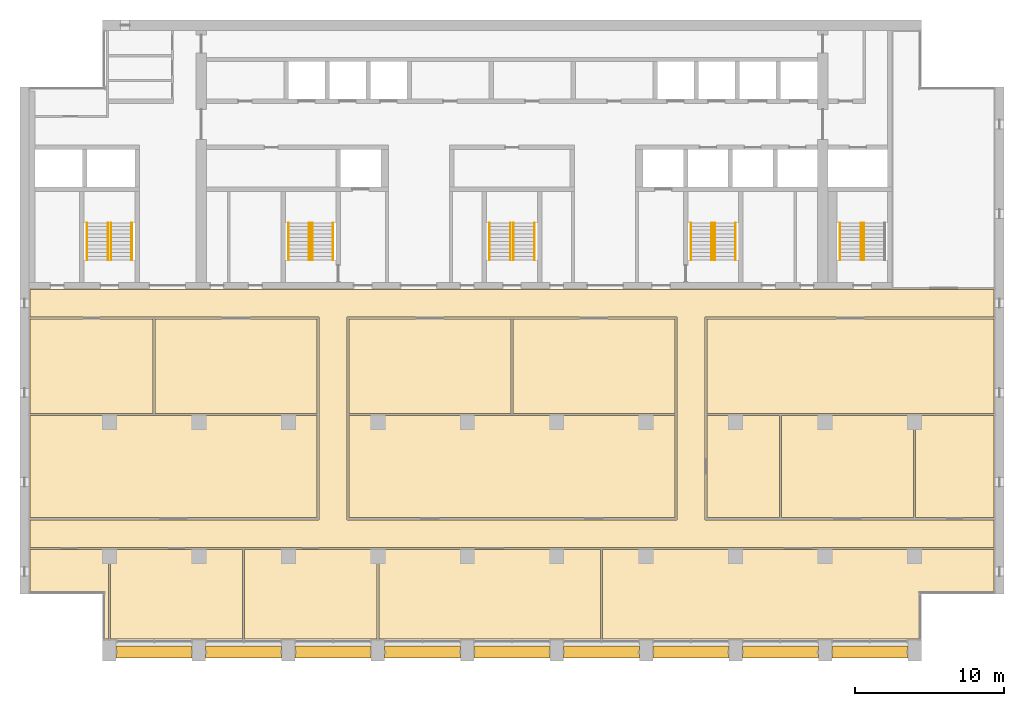
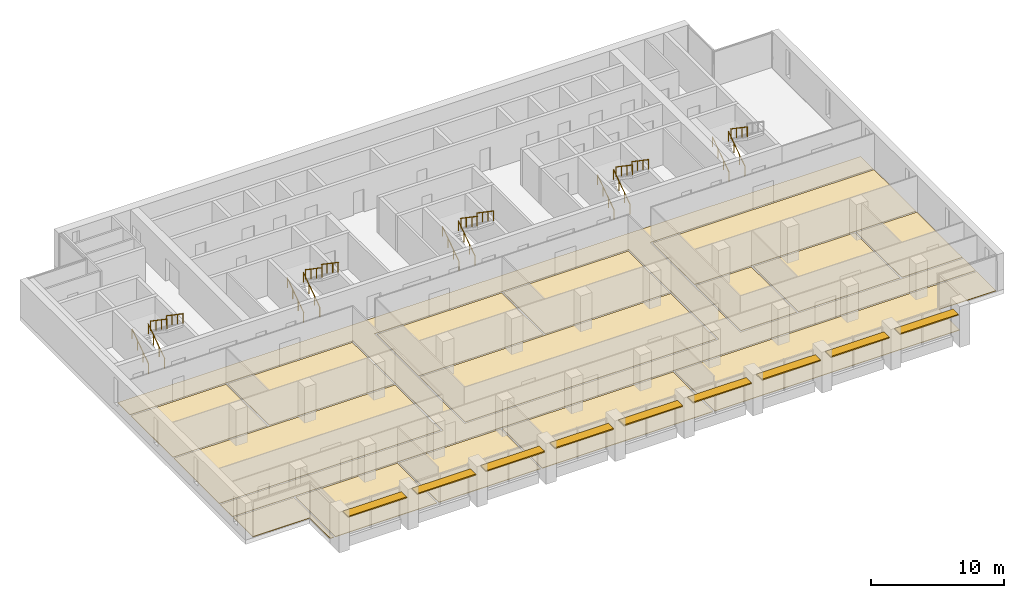
# One storey, part 16 of 17: 19 railings, 16 coverings, 9 shading devices, 5 elements without a shape of their own.
"""IFC4 building model written with IfcOpenShell, lengths in metres."""

from ifc_helpers import new_model, si_unit, direction, frame, origin, origin_2d, place, context, subcontext, project, spatial, polyline, rectangle, circle, outline, extrude, material, layer, layer_set, material_profile, profile_set, type_object, element, aggregate, save


model = new_model("IFC4")

# Units and contexts
model_context = context("Model", 3, precision=1e-05, world=origin(), true_north=direction((0.0, 1.0)))
body_context = subcontext(model_context, "Body", "Model", "MODEL_VIEW")
ifc_project = project(units=[si_unit("LENGTHUNIT", "METRE"), si_unit("AREAUNIT", "SQUARE_METRE"), si_unit("VOLUMEUNIT", "CUBIC_METRE"), si_unit("PLANEANGLEUNIT", "RADIAN"), si_unit("MASSUNIT", "GRAM", prefix="KILO")], contexts=[model_context])

# Site, building, storey
site_placement = place(None, origin())
site = spatial("IfcSite", under=ifc_project, at=site_placement, CompositionType="ELEMENT")
building_placement = place(site_placement, origin())
building = spatial("IfcBuilding", under=site, at=building_placement, Name="Calvaro Tower", CompositionType="ELEMENT")
storey_placement = place(building_placement, frame((0.0, 0.0, 215.5)))
storey = spatial("IfcBuildingStorey", under=building, at=storey_placement, Name="L54", CompositionType="ELEMENT", Elevation=215.5)

# Shading devices
ifc_material_1 = material(Name="Anodised aluminium", Category="aluminium")
ifc_material_profile = material_profile(ifc_material_1, rectangle(XDim=0.800048828125, YDim=0.10009765625, at=origin_2d()), Name="Brise-soleil blade 800 x 100")
ifc_profile_set = profile_set([ifc_material_profile], Name="Anodised aluminium")
shading_device_type = type_object("IfcShadingDeviceType", Name="Brise-soleil blade 800 x 100", PredefinedType="JALOUSIE", material=ifc_profile_set)
for number, where, z_axis, x_axis, name in (
    (1, (12.449951171875, 3.60009765625, 2.5), (1.0, 0.0, 0.0), (0.0, 1.0, 0.0), "Brise-soleil blade 1"),
    (2, (18.449951171875, 3.60009765625, 2.5), (1.0, 0.0, 0.0), (0.0, 1.0, 0.0), "Brise-soleil blade 2"),
    (3, (24.449951171875, 3.60009765625, 2.5), (1.0, 0.0, 0.0), (0.0, 1.0, 0.0), "Brise-soleil blade 3"),
    (4, (30.449951171875, 3.60009765625, 2.5), (1.0, 0.0, 0.0), (0.0, 1.0, 0.0), "Brise-soleil blade 4"),
    (5, (36.449951171875, 3.60009765625, 2.5), (1.0, 0.0, 0.0), (0.0, 1.0, 0.0), "Brise-soleil blade 5"),
    (6, (42.449951171875, 3.60009765625, 2.5), (1.0, 0.0, 0.0), (0.0, 1.0, 0.0), "Brise-soleil blade 6"),
    (7, (48.449951171875, 3.60009765625, 2.5), (1.0, 0.0, 0.0), (0.0, 1.0, 0.0), "Brise-soleil blade 7"),
    (8, (54.449951171875, 3.60009765625, 2.5), (1.0, 0.0, 0.0), (0.0, 1.0, 0.0), "Brise-soleil blade 8"),
    (9, (60.449951171875, 3.60009765625, 2.5), (1.0, 0.0, 0.0), (0.0, 1.0, 0.0), "Brise-soleil blade 9"),
):
    element("IfcShadingDevice", number, at=place(storey_placement, frame(where, z_axis=z_axis, x_axis=x_axis)), inside=storey, type_object=shading_device_type, Name=name, PredefinedType="JALOUSIE", context=body_context, shape_type="SweptSolid", body=[
        extrude(rectangle(XDim=0.800048828125, YDim=0.10009765625, at=origin_2d()), origin(), (0.0, 0.0, 1.0), 5.10009765625),
    ])

# Coverings
ifc_material_2 = material(Name="Cement screed with carpet tile finish")
ifc_layer = layer(ifc_material_2, 0.050048828125)
ifc_layer_set = layer_set([ifc_layer], Name="Cement screed with carpet tile finish")
covering_type = type_object("IfcCoveringType", Name="Floor finish 50", PredefinedType="FLOORING", material=ifc_layer_set)
covering_1_placement = place(storey_placement, origin())
element("IfcCovering", 10, at=covering_1_placement, inside=storey, type_object=covering_type, Name="Floor finish 31.01", PredefinedType="FLOORING", context=body_context, shape_type="SweptSolid", body=[
    extrude(outline(polyline([(6.669921875, 10.6201171875), (6.669921875, 12.47998046875), (26.070068359375, 12.47998046875), (26.070068359375, 26.070068359375), (6.669921875, 26.070068359375), (6.669921875, 27.929931640625), (71.330078125, 27.929931640625), (71.330078125, 26.070068359375), (51.929931640625, 26.070068359375), (51.929931640625, 12.47998046875), (71.330078125, 12.47998046875), (71.330078125, 10.6201171875), (6.669921875, 10.6201171875)]), holes=[polyline([(50.070068359375, 12.47998046875), (50.070068359375, 26.070068359375), (27.929931640625, 26.070068359375), (27.929931640625, 12.47998046875), (50.070068359375, 12.47998046875)])]), origin(), (0.0, 0.0, 1.0), 0.050048828125),
])
covering_2_placement = place(storey_placement, origin())
element("IfcCovering", 11, at=covering_2_placement, inside=storey, type_object=covering_type, Name="Floor finish 31.06", PredefinedType="FLOORING", context=body_context, shape_type="SweptSolid", body=[
    extrude(outline(polyline([(11.929931640625, 10.47998046875), (11.929931640625, 4.469970703125), (11.6201171875, 4.469970703125), (11.6201171875, 7.570068359375), (6.669921875, 7.570068359375), (6.669921875, 10.47998046875), (11.929931640625, 10.47998046875)])), origin(), (0.0, 0.0, 1.0), 0.050048828125),
])
covering_3_placement = place(storey_placement, origin())
element("IfcCovering", 12, at=covering_3_placement, inside=storey, type_object=covering_type, Name="Floor finish 31.02", PredefinedType="FLOORING", context=body_context, shape_type="SweptSolid", body=[
    extrude(outline(polyline([(12.070068359375, 10.47998046875), (20.929931640625, 10.47998046875), (20.929931640625, 4.469970703125), (12.070068359375, 4.469970703125), (12.070068359375, 10.47998046875)])), origin(), (0.0, 0.0, 1.0), 0.050048828125),
])
covering_4_placement = place(storey_placement, origin())
element("IfcCovering", 13, at=covering_4_placement, inside=storey, type_object=covering_type, Name="Floor finish 31.03", PredefinedType="FLOORING", context=body_context, shape_type="SweptSolid", body=[
    extrude(outline(polyline([(21.070068359375, 10.47998046875), (29.929931640625, 10.47998046875), (29.929931640625, 4.469970703125), (21.070068359375, 4.469970703125), (21.070068359375, 10.47998046875)])), origin(), (0.0, 0.0, 1.0), 0.050048828125),
])
covering_5_placement = place(storey_placement, origin())
element("IfcCovering", 14, at=covering_5_placement, inside=storey, type_object=covering_type, Name="Floor finish 31.04", PredefinedType="FLOORING", context=body_context, shape_type="SweptSolid", body=[
    extrude(outline(polyline([(30.070068359375, 10.47998046875), (44.929931640625, 10.47998046875), (44.929931640625, 4.469970703125), (30.070068359375, 4.469970703125), (30.070068359375, 10.47998046875)])), origin(), (0.0, 0.0, 1.0), 0.050048828125),
])
covering_6_placement = place(storey_placement, origin())
element("IfcCovering", 15, at=covering_6_placement, inside=storey, type_object=covering_type, Name="Floor finish 31.05", PredefinedType="FLOORING", context=body_context, shape_type="SweptSolid", body=[
    extrude(outline(polyline([(71.330078125, 7.570068359375), (66.3798828125, 7.570068359375), (66.3798828125, 4.469970703125), (45.070068359375, 4.469970703125), (45.070068359375, 10.47998046875), (71.330078125, 10.47998046875), (71.330078125, 7.570068359375)])), origin(), (0.0, 0.0, 1.0), 0.050048828125),
])
covering_7_placement = place(storey_placement, origin())
element("IfcCovering", 16, at=covering_7_placement, inside=storey, type_object=covering_type, Name="Floor finish 31.07", PredefinedType="FLOORING", context=body_context, shape_type="SweptSolid", body=[
    extrude(outline(polyline([(25.929931640625, 19.47998046875), (25.929931640625, 12.6201171875), (6.669921875, 12.6201171875), (6.669921875, 19.47998046875), (25.929931640625, 19.47998046875)])), origin(), (0.0, 0.0, 1.0), 0.050048828125),
])
covering_8_placement = place(storey_placement, origin())
element("IfcCovering", 17, at=covering_8_placement, inside=storey, type_object=covering_type, Name="Floor finish 31.12", PredefinedType="FLOORING", context=body_context, shape_type="SweptSolid", body=[
    extrude(outline(polyline([(14.929931640625, 25.929931640625), (14.929931640625, 19.6201171875), (6.669921875, 19.6201171875), (6.669921875, 25.929931640625), (14.929931640625, 25.929931640625)])), origin(), (0.0, 0.0, 1.0), 0.050048828125),
])
covering_9_placement = place(storey_placement, origin())
element("IfcCovering", 18, at=covering_9_placement, inside=storey, type_object=covering_type, Name="Floor finish 31.13", PredefinedType="FLOORING", context=body_context, shape_type="SweptSolid", body=[
    extrude(outline(polyline([(15.070068359375, 19.6201171875), (15.070068359375, 25.929931640625), (25.929931640625, 25.929931640625), (25.929931640625, 19.6201171875), (15.070068359375, 19.6201171875)])), origin(), (0.0, 0.0, 1.0), 0.050048828125),
])
covering_10_placement = place(storey_placement, origin())
element("IfcCovering", 19, at=covering_10_placement, inside=storey, type_object=covering_type, Name="Floor finish 31.08", PredefinedType="FLOORING", context=body_context, shape_type="SweptSolid", body=[
    extrude(outline(polyline([(28.070068359375, 12.6201171875), (28.070068359375, 19.47998046875), (49.929931640625, 19.47998046875), (49.929931640625, 12.6201171875), (28.070068359375, 12.6201171875)])), origin(), (0.0, 0.0, 1.0), 0.050048828125),
])
covering_11_placement = place(storey_placement, origin())
element("IfcCovering", 20, at=covering_11_placement, inside=storey, type_object=covering_type, Name="Floor finish 31.14", PredefinedType="FLOORING", context=body_context, shape_type="SweptSolid", body=[
    extrude(outline(polyline([(28.070068359375, 19.6201171875), (28.070068359375, 25.929931640625), (38.929931640625, 25.929931640625), (38.929931640625, 19.6201171875), (28.070068359375, 19.6201171875)])), origin(), (0.0, 0.0, 1.0), 0.050048828125),
])
covering_12_placement = place(storey_placement, origin())
element("IfcCovering", 21, at=covering_12_placement, inside=storey, type_object=covering_type, Name="Floor finish 31.15", PredefinedType="FLOORING", context=body_context, shape_type="SweptSolid", body=[
    extrude(outline(polyline([(39.070068359375, 19.6201171875), (39.070068359375, 25.929931640625), (49.929931640625, 25.929931640625), (49.929931640625, 19.6201171875), (39.070068359375, 19.6201171875)])), origin(), (0.0, 0.0, 1.0), 0.050048828125),
])
covering_13_placement = place(storey_placement, origin())
element("IfcCovering", 22, at=covering_13_placement, inside=storey, type_object=covering_type, Name="Floor finish 31.09", PredefinedType="FLOORING", context=body_context, shape_type="SweptSolid", body=[
    extrude(outline(polyline([(52.070068359375, 12.6201171875), (52.070068359375, 19.47998046875), (56.929931640625, 19.47998046875), (56.929931640625, 12.6201171875), (52.070068359375, 12.6201171875)])), origin(), (0.0, 0.0, 1.0), 0.050048828125),
])
covering_14_placement = place(storey_placement, origin())
element("IfcCovering", 23, at=covering_14_placement, inside=storey, type_object=covering_type, Name="Floor finish 31.10", PredefinedType="FLOORING", context=body_context, shape_type="SweptSolid", body=[
    extrude(outline(polyline([(57.070068359375, 12.6201171875), (57.070068359375, 19.47998046875), (65.929931640625, 19.47998046875), (65.929931640625, 12.6201171875), (57.070068359375, 12.6201171875)])), origin(), (0.0, 0.0, 1.0), 0.050048828125),
])
covering_15_placement = place(storey_placement, origin())
element("IfcCovering", 24, at=covering_15_placement, inside=storey, type_object=covering_type, Name="Floor finish 31.11", PredefinedType="FLOORING", context=body_context, shape_type="SweptSolid", body=[
    extrude(outline(polyline([(71.330078125, 12.6201171875), (66.070068359375, 12.6201171875), (66.070068359375, 19.47998046875), (71.330078125, 19.47998046875), (71.330078125, 12.6201171875)])), origin(), (0.0, 0.0, 1.0), 0.050048828125),
])
covering_16_placement = place(storey_placement, origin())
element("IfcCovering", 25, at=covering_16_placement, inside=storey, type_object=covering_type, Name="Floor finish 31.16", PredefinedType="FLOORING", context=body_context, shape_type="SweptSolid", body=[
    extrude(outline(polyline([(71.330078125, 19.6201171875), (52.070068359375, 19.6201171875), (52.070068359375, 25.929931640625), (71.330078125, 25.929931640625), (71.330078125, 19.6201171875)])), origin(), (0.0, 0.0, 1.0), 0.050048828125),
])

# Stair, railings
ifc_material_3 = material(Name="Concrete C40/50", Category="concrete")
stair_type = type_object("IfcStairType", Name="Exit stair 1400 2 flights", PredefinedType="HALF_TURN_STAIR", material=ifc_material_3)
stair_1_placement = place(storey_placement, origin())
stair_1 = element("IfcStair", 26, at=stair_1_placement, inside=storey, type_object=stair_type, Name="Exit stair S1", PredefinedType="HALF_TURN_STAIR")
ifc_material_4 = material(Name="Stainless steel", Category="steel")
railing_type = type_object("IfcRailingType", Name="Stair handrail", PredefinedType="HANDRAIL", material=ifc_material_4)
railing_1_placement = place(storey_placement, frame((11.89990234375, 29.89990234375, 0.17041015625)))
railing_1 = element("IfcRailing", 27, at=railing_1_placement, type_object=railing_type, Name="Exit stair 1 handrail", PredefinedType="HANDRAIL", context=body_context, shape_type="SweptSolid", body=[
    extrude(circle(Radius=0.02392578125, at=origin_2d()), frame((0.0, 0.0, 0.8759765625), z_axis=(0.0, 0.826220514629, 0.563346839174), x_axis=(-1.0, 0.0, 0.0)), (0.0, 0.0, 1.0), 3.02587890625),
    extrude(circle(Radius=0.02099609375, at=origin_2d()), frame((0.0, 0.017333984375, 0.01171875)), (0.0, 0.0, 1.0), 0.851806640625),
    extrude(circle(Radius=0.02099609375, at=origin_2d()), frame((0.0, 0.833251953125, 0.568115234375)), (0.0, 0.0, 1.0), 0.851806640625),
    extrude(circle(Radius=0.02099609375, at=origin_2d()), frame((0.0, 1.666748046875, 1.136474609375)), (0.0, 0.0, 1.0), 0.851806640625),
    extrude(circle(Radius=0.02099609375, at=origin_2d()), frame((0.0, 2.482666015625, 1.69287109375)), (0.0, 0.0, 1.0), 0.851806640625),
])
railing_2_placement = place(storey_placement, frame((10.5, 29.89990234375, 0.17041015625)))
railing_2 = element("IfcRailing", 28, at=railing_2_placement, type_object=railing_type, Name="Exit stair 1 handrail", PredefinedType="HANDRAIL", context=body_context, shape_type="SweptSolid", body=[
    extrude(circle(Radius=0.02392578125, at=origin_2d()), frame((0.0, 0.0, 0.8759765625), z_axis=(0.0, 0.826220514629, 0.563346839174), x_axis=(-1.0, 0.0, 0.0)), (0.0, 0.0, 1.0), 3.02587890625),
    extrude(circle(Radius=0.02099609375, at=origin_2d()), frame((0.0, 0.017333984375, 0.01171875)), (0.0, 0.0, 1.0), 0.851806640625),
    extrude(circle(Radius=0.02099609375, at=origin_2d()), frame((0.0, 0.833251953125, 0.568115234375)), (0.0, 0.0, 1.0), 0.851806640625),
    extrude(circle(Radius=0.02099609375, at=origin_2d()), frame((0.0, 1.666748046875, 1.136474609375)), (0.0, 0.0, 1.0), 0.851806640625),
    extrude(circle(Radius=0.02099609375, at=origin_2d()), frame((0.0, 2.482666015625, 1.69287109375)), (0.0, 0.0, 1.0), 0.851806640625),
])
railing_3_placement = place(storey_placement, frame((12.10009765625, 32.39990234375, 2.04541015625)))
railing_3 = element("IfcRailing", 29, at=railing_3_placement, type_object=railing_type, Name="Exit stair 1 handrail", PredefinedType="HANDRAIL", context=body_context, shape_type="SweptSolid", body=[
    extrude(circle(Radius=0.02392578125, at=origin_2d()), frame((0.0, 0.0, 0.8759765625), z_axis=(0.0, -0.826220514629, 0.563346839174), x_axis=(1.0, 0.0, 0.0)), (0.0, 0.0, 1.0), 3.02587890625),
    extrude(circle(Radius=0.02099609375, at=origin_2d()), frame((0.0, -0.017333984375, 0.01171875)), (0.0, 0.0, 1.0), 0.851806640625),
    extrude(circle(Radius=0.02099609375, at=origin_2d()), frame((0.0, -0.833251953125, 0.568115234375)), (0.0, 0.0, 1.0), 0.851806640625),
    extrude(circle(Radius=0.02099609375, at=origin_2d()), frame((0.0, -1.666748046875, 1.136474609375)), (0.0, 0.0, 1.0), 0.851806640625),
    extrude(circle(Radius=0.02099609375, at=origin_2d()), frame((0.0, -2.482666015625, 1.69287109375)), (0.0, 0.0, 1.0), 0.851806640625),
])
railing_4_placement = place(storey_placement, frame((13.5, 32.39990234375, 2.04541015625)))
railing_4 = element("IfcRailing", 30, at=railing_4_placement, type_object=railing_type, Name="Exit stair 1 handrail", PredefinedType="HANDRAIL", context=body_context, shape_type="SweptSolid", body=[
    extrude(circle(Radius=0.02392578125, at=origin_2d()), frame((0.0, 0.0, 0.8759765625), z_axis=(0.0, -0.826220514629, 0.563346839174), x_axis=(1.0, 0.0, 0.0)), (0.0, 0.0, 1.0), 3.02587890625),
    extrude(circle(Radius=0.02099609375, at=origin_2d()), frame((0.0, -0.017333984375, 0.01171875)), (0.0, 0.0, 1.0), 0.851806640625),
    extrude(circle(Radius=0.02099609375, at=origin_2d()), frame((0.0, -0.833251953125, 0.568115234375)), (0.0, 0.0, 1.0), 0.851806640625),
    extrude(circle(Radius=0.02099609375, at=origin_2d()), frame((0.0, -1.666748046875, 1.136474609375)), (0.0, 0.0, 1.0), 0.851806640625),
    extrude(circle(Radius=0.02099609375, at=origin_2d()), frame((0.0, -2.482666015625, 1.69287109375)), (0.0, 0.0, 1.0), 0.851806640625),
])
aggregate(stair_1, [railing_1, railing_2, railing_3, railing_4])

stair_2_placement = place(storey_placement, origin())
stair_2 = element("IfcStair", 31, at=stair_2_placement, inside=storey, type_object=stair_type, Name="Exit stair S2", PredefinedType="HALF_TURN_STAIR")
railing_5_placement = place(storey_placement, frame((25.39990234375, 29.89990234375, 0.17041015625)))
railing_5 = element("IfcRailing", 32, at=railing_5_placement, type_object=railing_type, Name="Exit stair 2 handrail", PredefinedType="HANDRAIL", context=body_context, shape_type="SweptSolid", body=[
    extrude(circle(Radius=0.02392578125, at=origin_2d()), frame((0.0, 0.0, 0.8759765625), z_axis=(0.0, 0.826220514629, 0.563346839174), x_axis=(-1.0, 0.0, 0.0)), (0.0, 0.0, 1.0), 3.02587890625),
    extrude(circle(Radius=0.02099609375, at=origin_2d()), frame((0.0, 0.017333984375, 0.01171875)), (0.0, 0.0, 1.0), 0.851806640625),
    extrude(circle(Radius=0.02099609375, at=origin_2d()), frame((0.0, 0.833251953125, 0.568115234375)), (0.0, 0.0, 1.0), 0.851806640625),
    extrude(circle(Radius=0.02099609375, at=origin_2d()), frame((0.0, 1.666748046875, 1.136474609375)), (0.0, 0.0, 1.0), 0.851806640625),
    extrude(circle(Radius=0.02099609375, at=origin_2d()), frame((0.0, 2.482666015625, 1.69287109375)), (0.0, 0.0, 1.0), 0.851806640625),
])
railing_6_placement = place(storey_placement, frame((24.0, 29.89990234375, 0.17041015625)))
railing_6 = element("IfcRailing", 33, at=railing_6_placement, type_object=railing_type, Name="Exit stair 2 handrail", PredefinedType="HANDRAIL", context=body_context, shape_type="SweptSolid", body=[
    extrude(circle(Radius=0.02392578125, at=origin_2d()), frame((0.0, 0.0, 0.8759765625), z_axis=(0.0, 0.826220514629, 0.563346839174), x_axis=(-1.0, 0.0, 0.0)), (0.0, 0.0, 1.0), 3.02587890625),
    extrude(circle(Radius=0.02099609375, at=origin_2d()), frame((0.0, 0.017333984375, 0.01171875)), (0.0, 0.0, 1.0), 0.851806640625),
    extrude(circle(Radius=0.02099609375, at=origin_2d()), frame((0.0, 0.833251953125, 0.568115234375)), (0.0, 0.0, 1.0), 0.851806640625),
    extrude(circle(Radius=0.02099609375, at=origin_2d()), frame((0.0, 1.666748046875, 1.136474609375)), (0.0, 0.0, 1.0), 0.851806640625),
    extrude(circle(Radius=0.02099609375, at=origin_2d()), frame((0.0, 2.482666015625, 1.69287109375)), (0.0, 0.0, 1.0), 0.851806640625),
])
railing_7_placement = place(storey_placement, frame((25.60009765625, 32.39990234375, 2.04541015625)))
railing_7 = element("IfcRailing", 34, at=railing_7_placement, type_object=railing_type, Name="Exit stair 2 handrail", PredefinedType="HANDRAIL", context=body_context, shape_type="SweptSolid", body=[
    extrude(circle(Radius=0.02392578125, at=origin_2d()), frame((0.0, 0.0, 0.8759765625), z_axis=(0.0, -0.826220514629, 0.563346839174), x_axis=(1.0, 0.0, 0.0)), (0.0, 0.0, 1.0), 3.02587890625),
    extrude(circle(Radius=0.02099609375, at=origin_2d()), frame((0.0, -0.017333984375, 0.01171875)), (0.0, 0.0, 1.0), 0.851806640625),
    extrude(circle(Radius=0.02099609375, at=origin_2d()), frame((0.0, -0.833251953125, 0.568115234375)), (0.0, 0.0, 1.0), 0.851806640625),
    extrude(circle(Radius=0.02099609375, at=origin_2d()), frame((0.0, -1.666748046875, 1.136474609375)), (0.0, 0.0, 1.0), 0.851806640625),
    extrude(circle(Radius=0.02099609375, at=origin_2d()), frame((0.0, -2.482666015625, 1.69287109375)), (0.0, 0.0, 1.0), 0.851806640625),
])
railing_8_placement = place(storey_placement, frame((27.0, 32.39990234375, 2.04541015625)))
railing_8 = element("IfcRailing", 35, at=railing_8_placement, type_object=railing_type, Name="Exit stair 2 handrail", PredefinedType="HANDRAIL", context=body_context, shape_type="SweptSolid", body=[
    extrude(circle(Radius=0.02392578125, at=origin_2d()), frame((0.0, 0.0, 0.8759765625), z_axis=(0.0, -0.826220514629, 0.563346839174), x_axis=(1.0, 0.0, 0.0)), (0.0, 0.0, 1.0), 3.02587890625),
    extrude(circle(Radius=0.02099609375, at=origin_2d()), frame((0.0, -0.017333984375, 0.01171875)), (0.0, 0.0, 1.0), 0.851806640625),
    extrude(circle(Radius=0.02099609375, at=origin_2d()), frame((0.0, -0.833251953125, 0.568115234375)), (0.0, 0.0, 1.0), 0.851806640625),
    extrude(circle(Radius=0.02099609375, at=origin_2d()), frame((0.0, -1.666748046875, 1.136474609375)), (0.0, 0.0, 1.0), 0.851806640625),
    extrude(circle(Radius=0.02099609375, at=origin_2d()), frame((0.0, -2.482666015625, 1.69287109375)), (0.0, 0.0, 1.0), 0.851806640625),
])
aggregate(stair_2, [railing_5, railing_6, railing_7, railing_8])

stair_3_placement = place(storey_placement, origin())
stair_3 = element("IfcStair", 36, at=stair_3_placement, inside=storey, type_object=stair_type, Name="Exit stair S3", PredefinedType="HALF_TURN_STAIR")
railing_9_placement = place(storey_placement, frame((38.89990234375, 29.89990234375, 0.17041015625)))
railing_9 = element("IfcRailing", 37, at=railing_9_placement, type_object=railing_type, Name="Exit stair 3 handrail", PredefinedType="HANDRAIL", context=body_context, shape_type="SweptSolid", body=[
    extrude(circle(Radius=0.02392578125, at=origin_2d()), frame((0.0, 0.0, 0.8759765625), z_axis=(0.0, 0.826220514629, 0.563346839174), x_axis=(-1.0, 0.0, 0.0)), (0.0, 0.0, 1.0), 3.02587890625),
    extrude(circle(Radius=0.02099609375, at=origin_2d()), frame((0.0, 0.017333984375, 0.01171875)), (0.0, 0.0, 1.0), 0.851806640625),
    extrude(circle(Radius=0.02099609375, at=origin_2d()), frame((0.0, 0.833251953125, 0.568115234375)), (0.0, 0.0, 1.0), 0.851806640625),
    extrude(circle(Radius=0.02099609375, at=origin_2d()), frame((0.0, 1.666748046875, 1.136474609375)), (0.0, 0.0, 1.0), 0.851806640625),
    extrude(circle(Radius=0.02099609375, at=origin_2d()), frame((0.0, 2.482666015625, 1.69287109375)), (0.0, 0.0, 1.0), 0.851806640625),
])
railing_10_placement = place(storey_placement, frame((37.5, 29.89990234375, 0.17041015625)))
railing_10 = element("IfcRailing", 38, at=railing_10_placement, type_object=railing_type, Name="Exit stair 3 handrail", PredefinedType="HANDRAIL", context=body_context, shape_type="SweptSolid", body=[
    extrude(circle(Radius=0.02392578125, at=origin_2d()), frame((0.0, 0.0, 0.8759765625), z_axis=(0.0, 0.826220514629, 0.563346839174), x_axis=(-1.0, 0.0, 0.0)), (0.0, 0.0, 1.0), 3.02587890625),
    extrude(circle(Radius=0.02099609375, at=origin_2d()), frame((0.0, 0.017333984375, 0.01171875)), (0.0, 0.0, 1.0), 0.851806640625),
    extrude(circle(Radius=0.02099609375, at=origin_2d()), frame((0.0, 0.833251953125, 0.568115234375)), (0.0, 0.0, 1.0), 0.851806640625),
    extrude(circle(Radius=0.02099609375, at=origin_2d()), frame((0.0, 1.666748046875, 1.136474609375)), (0.0, 0.0, 1.0), 0.851806640625),
    extrude(circle(Radius=0.02099609375, at=origin_2d()), frame((0.0, 2.482666015625, 1.69287109375)), (0.0, 0.0, 1.0), 0.851806640625),
])
railing_11_placement = place(storey_placement, frame((39.10009765625, 32.39990234375, 2.04541015625)))
railing_11 = element("IfcRailing", 39, at=railing_11_placement, type_object=railing_type, Name="Exit stair 3 handrail", PredefinedType="HANDRAIL", context=body_context, shape_type="SweptSolid", body=[
    extrude(circle(Radius=0.02392578125, at=origin_2d()), frame((0.0, 0.0, 0.8759765625), z_axis=(0.0, -0.826220514629, 0.563346839174), x_axis=(1.0, 0.0, 0.0)), (0.0, 0.0, 1.0), 3.02587890625),
    extrude(circle(Radius=0.02099609375, at=origin_2d()), frame((0.0, -0.017333984375, 0.01171875)), (0.0, 0.0, 1.0), 0.851806640625),
    extrude(circle(Radius=0.02099609375, at=origin_2d()), frame((0.0, -0.833251953125, 0.568115234375)), (0.0, 0.0, 1.0), 0.851806640625),
    extrude(circle(Radius=0.02099609375, at=origin_2d()), frame((0.0, -1.666748046875, 1.136474609375)), (0.0, 0.0, 1.0), 0.851806640625),
    extrude(circle(Radius=0.02099609375, at=origin_2d()), frame((0.0, -2.482666015625, 1.69287109375)), (0.0, 0.0, 1.0), 0.851806640625),
])
railing_12_placement = place(storey_placement, frame((40.5, 32.39990234375, 2.04541015625)))
railing_12 = element("IfcRailing", 40, at=railing_12_placement, type_object=railing_type, Name="Exit stair 3 handrail", PredefinedType="HANDRAIL", context=body_context, shape_type="SweptSolid", body=[
    extrude(circle(Radius=0.02392578125, at=origin_2d()), frame((0.0, 0.0, 0.8759765625), z_axis=(0.0, -0.826220514629, 0.563346839174), x_axis=(1.0, 0.0, 0.0)), (0.0, 0.0, 1.0), 3.02587890625),
    extrude(circle(Radius=0.02099609375, at=origin_2d()), frame((0.0, -0.017333984375, 0.01171875)), (0.0, 0.0, 1.0), 0.851806640625),
    extrude(circle(Radius=0.02099609375, at=origin_2d()), frame((0.0, -0.833251953125, 0.568115234375)), (0.0, 0.0, 1.0), 0.851806640625),
    extrude(circle(Radius=0.02099609375, at=origin_2d()), frame((0.0, -1.666748046875, 1.136474609375)), (0.0, 0.0, 1.0), 0.851806640625),
    extrude(circle(Radius=0.02099609375, at=origin_2d()), frame((0.0, -2.482666015625, 1.69287109375)), (0.0, 0.0, 1.0), 0.851806640625),
])
aggregate(stair_3, [railing_9, railing_10, railing_11, railing_12])

stair_4_placement = place(storey_placement, origin())
stair_4 = element("IfcStair", 41, at=stair_4_placement, inside=storey, type_object=stair_type, Name="Exit stair S4", PredefinedType="HALF_TURN_STAIR")
railing_13_placement = place(storey_placement, frame((52.39990234375, 29.89990234375, 0.17041015625)))
railing_13 = element("IfcRailing", 42, at=railing_13_placement, type_object=railing_type, Name="Exit stair 4 handrail", PredefinedType="HANDRAIL", context=body_context, shape_type="SweptSolid", body=[
    extrude(circle(Radius=0.02392578125, at=origin_2d()), frame((0.0, 0.0, 0.8759765625), z_axis=(0.0, 0.826220514629, 0.563346839174), x_axis=(-1.0, 0.0, 0.0)), (0.0, 0.0, 1.0), 3.02587890625),
    extrude(circle(Radius=0.02099609375, at=origin_2d()), frame((0.0, 0.017333984375, 0.01171875)), (0.0, 0.0, 1.0), 0.851806640625),
    extrude(circle(Radius=0.02099609375, at=origin_2d()), frame((0.0, 0.833251953125, 0.568115234375)), (0.0, 0.0, 1.0), 0.851806640625),
    extrude(circle(Radius=0.02099609375, at=origin_2d()), frame((0.0, 1.666748046875, 1.136474609375)), (0.0, 0.0, 1.0), 0.851806640625),
    extrude(circle(Radius=0.02099609375, at=origin_2d()), frame((0.0, 2.482666015625, 1.69287109375)), (0.0, 0.0, 1.0), 0.851806640625),
])
railing_14_placement = place(storey_placement, frame((51.0, 29.89990234375, 0.17041015625)))
railing_14 = element("IfcRailing", 43, at=railing_14_placement, type_object=railing_type, Name="Exit stair 4 handrail", PredefinedType="HANDRAIL", context=body_context, shape_type="SweptSolid", body=[
    extrude(circle(Radius=0.02392578125, at=origin_2d()), frame((0.0, 0.0, 0.8759765625), z_axis=(0.0, 0.826220514629, 0.563346839174), x_axis=(-1.0, 0.0, 0.0)), (0.0, 0.0, 1.0), 3.02587890625),
    extrude(circle(Radius=0.02099609375, at=origin_2d()), frame((0.0, 0.017333984375, 0.01171875)), (0.0, 0.0, 1.0), 0.851806640625),
    extrude(circle(Radius=0.02099609375, at=origin_2d()), frame((0.0, 0.833251953125, 0.568115234375)), (0.0, 0.0, 1.0), 0.851806640625),
    extrude(circle(Radius=0.02099609375, at=origin_2d()), frame((0.0, 1.666748046875, 1.136474609375)), (0.0, 0.0, 1.0), 0.851806640625),
    extrude(circle(Radius=0.02099609375, at=origin_2d()), frame((0.0, 2.482666015625, 1.69287109375)), (0.0, 0.0, 1.0), 0.851806640625),
])
railing_15_placement = place(storey_placement, frame((52.60009765625, 32.39990234375, 2.04541015625)))
railing_15 = element("IfcRailing", 44, at=railing_15_placement, type_object=railing_type, Name="Exit stair 4 handrail", PredefinedType="HANDRAIL", context=body_context, shape_type="SweptSolid", body=[
    extrude(circle(Radius=0.02392578125, at=origin_2d()), frame((0.0, 0.0, 0.8759765625), z_axis=(0.0, -0.826220514629, 0.563346839174), x_axis=(1.0, 0.0, 0.0)), (0.0, 0.0, 1.0), 3.02587890625),
    extrude(circle(Radius=0.02099609375, at=origin_2d()), frame((0.0, -0.017333984375, 0.01171875)), (0.0, 0.0, 1.0), 0.851806640625),
    extrude(circle(Radius=0.02099609375, at=origin_2d()), frame((0.0, -0.833251953125, 0.568115234375)), (0.0, 0.0, 1.0), 0.851806640625),
    extrude(circle(Radius=0.02099609375, at=origin_2d()), frame((0.0, -1.666748046875, 1.136474609375)), (0.0, 0.0, 1.0), 0.851806640625),
    extrude(circle(Radius=0.02099609375, at=origin_2d()), frame((0.0, -2.482666015625, 1.69287109375)), (0.0, 0.0, 1.0), 0.851806640625),
])
railing_16_placement = place(storey_placement, frame((54.0, 32.39990234375, 2.04541015625)))
railing_16 = element("IfcRailing", 45, at=railing_16_placement, type_object=railing_type, Name="Exit stair 4 handrail", PredefinedType="HANDRAIL", context=body_context, shape_type="SweptSolid", body=[
    extrude(circle(Radius=0.02392578125, at=origin_2d()), frame((0.0, 0.0, 0.8759765625), z_axis=(0.0, -0.826220514629, 0.563346839174), x_axis=(1.0, 0.0, 0.0)), (0.0, 0.0, 1.0), 3.02587890625),
    extrude(circle(Radius=0.02099609375, at=origin_2d()), frame((0.0, -0.017333984375, 0.01171875)), (0.0, 0.0, 1.0), 0.851806640625),
    extrude(circle(Radius=0.02099609375, at=origin_2d()), frame((0.0, -0.833251953125, 0.568115234375)), (0.0, 0.0, 1.0), 0.851806640625),
    extrude(circle(Radius=0.02099609375, at=origin_2d()), frame((0.0, -1.666748046875, 1.136474609375)), (0.0, 0.0, 1.0), 0.851806640625),
    extrude(circle(Radius=0.02099609375, at=origin_2d()), frame((0.0, -2.482666015625, 1.69287109375)), (0.0, 0.0, 1.0), 0.851806640625),
])
aggregate(stair_4, [railing_13, railing_14, railing_15, railing_16])

stair_5_placement = place(storey_placement, origin())
stair_5 = element("IfcStair", 46, at=stair_5_placement, inside=storey, type_object=stair_type, Name="Exit stair S5", PredefinedType="HALF_TURN_STAIR")
railing_17_placement = place(storey_placement, frame((62.39990234375, 29.89990234375, 0.17041015625)))
railing_17 = element("IfcRailing", 47, at=railing_17_placement, type_object=railing_type, Name="Exit stair 5 handrail", PredefinedType="HANDRAIL", context=body_context, shape_type="SweptSolid", body=[
    extrude(circle(Radius=0.02392578125, at=origin_2d()), frame((0.0, 0.0, 0.8759765625), z_axis=(0.0, 0.826220514629, 0.563346839174), x_axis=(-1.0, 0.0, 0.0)), (0.0, 0.0, 1.0), 3.02587890625),
    extrude(circle(Radius=0.02099609375, at=origin_2d()), frame((0.0, 0.017333984375, 0.01171875)), (0.0, 0.0, 1.0), 0.851806640625),
    extrude(circle(Radius=0.02099609375, at=origin_2d()), frame((0.0, 0.833251953125, 0.568115234375)), (0.0, 0.0, 1.0), 0.851806640625),
    extrude(circle(Radius=0.02099609375, at=origin_2d()), frame((0.0, 1.666748046875, 1.136474609375)), (0.0, 0.0, 1.0), 0.851806640625),
    extrude(circle(Radius=0.02099609375, at=origin_2d()), frame((0.0, 2.482666015625, 1.69287109375)), (0.0, 0.0, 1.0), 0.851806640625),
])
railing_18_placement = place(storey_placement, frame((61.0, 29.89990234375, 0.17041015625)))
railing_18 = element("IfcRailing", 48, at=railing_18_placement, type_object=railing_type, Name="Exit stair 5 handrail", PredefinedType="HANDRAIL", context=body_context, shape_type="SweptSolid", body=[
    extrude(circle(Radius=0.02392578125, at=origin_2d()), frame((0.0, 0.0, 0.8759765625), z_axis=(0.0, 0.826220514629, 0.563346839174), x_axis=(-1.0, 0.0, 0.0)), (0.0, 0.0, 1.0), 3.02587890625),
    extrude(circle(Radius=0.02099609375, at=origin_2d()), frame((0.0, 0.017333984375, 0.01171875)), (0.0, 0.0, 1.0), 0.851806640625),
    extrude(circle(Radius=0.02099609375, at=origin_2d()), frame((0.0, 0.833251953125, 0.568115234375)), (0.0, 0.0, 1.0), 0.851806640625),
    extrude(circle(Radius=0.02099609375, at=origin_2d()), frame((0.0, 1.666748046875, 1.136474609375)), (0.0, 0.0, 1.0), 0.851806640625),
    extrude(circle(Radius=0.02099609375, at=origin_2d()), frame((0.0, 2.482666015625, 1.69287109375)), (0.0, 0.0, 1.0), 0.851806640625),
])
railing_19_placement = place(storey_placement, frame((62.60009765625, 32.39990234375, 2.04541015625)))
railing_19 = element("IfcRailing", 49, at=railing_19_placement, type_object=railing_type, Name="Exit stair 5 handrail", PredefinedType="HANDRAIL", context=body_context, shape_type="SweptSolid", body=[
    extrude(circle(Radius=0.02392578125, at=origin_2d()), frame((0.0, 0.0, 0.8759765625), z_axis=(0.0, -0.826220514629, 0.563346839174), x_axis=(1.0, 0.0, 0.0)), (0.0, 0.0, 1.0), 3.02587890625),
    extrude(circle(Radius=0.02099609375, at=origin_2d()), frame((0.0, -0.017333984375, 0.01171875)), (0.0, 0.0, 1.0), 0.851806640625),
    extrude(circle(Radius=0.02099609375, at=origin_2d()), frame((0.0, -0.833251953125, 0.568115234375)), (0.0, 0.0, 1.0), 0.851806640625),
    extrude(circle(Radius=0.02099609375, at=origin_2d()), frame((0.0, -1.666748046875, 1.136474609375)), (0.0, 0.0, 1.0), 0.851806640625),
    extrude(circle(Radius=0.02099609375, at=origin_2d()), frame((0.0, -2.482666015625, 1.69287109375)), (0.0, 0.0, 1.0), 0.851806640625),
])
aggregate(stair_5, [railing_17, railing_18, railing_19])

save(model, "model.ifc")
